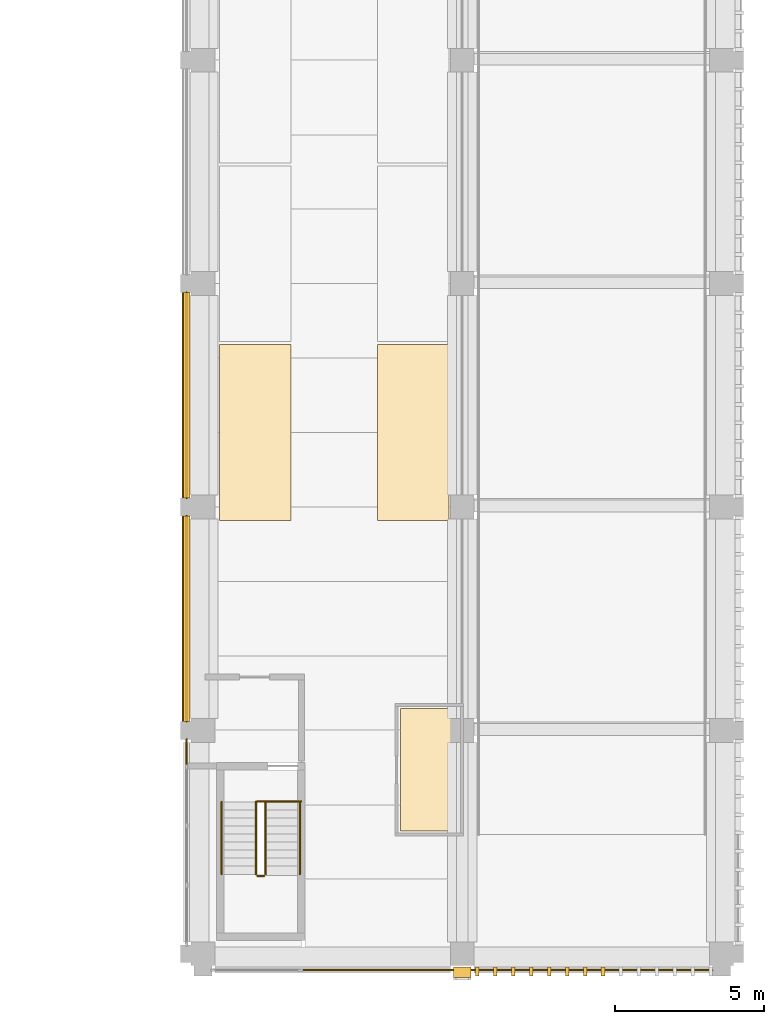
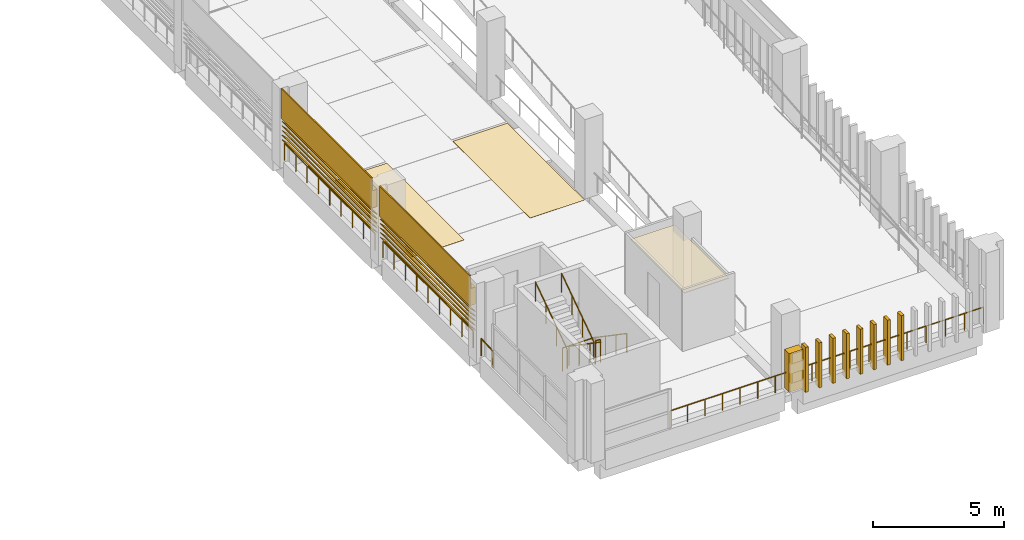
# One storey, part 46 of 52: 14 coverings, 11 railings, 10 shading devices.
"""IFC4 building model written with IfcOpenShell, lengths in metres."""

from ifc_helpers import new_model, si_unit, direction, frame, origin, origin_2d, place, context, subcontext, project, spatial, polyline, circle, outline, extrude, material, layer, layer_set, type_object, element, save


model = new_model("IFC4")

# Units and contexts
model_context = context("Model", 3, precision=1e-05, world=origin(), true_north=direction((0.0, 1.0)))
body_context = subcontext(model_context, "Body", "Model", "MODEL_VIEW")
ifc_project = project(units=[si_unit("LENGTHUNIT", "METRE"), si_unit("AREAUNIT", "SQUARE_METRE"), si_unit("VOLUMEUNIT", "CUBIC_METRE"), si_unit("PLANEANGLEUNIT", "RADIAN"), si_unit("MASSUNIT", "GRAM", prefix="KILO")], contexts=[model_context])

# Site, building, storey
site_placement = place(None, origin())
site = spatial("IfcSite", under=ifc_project, at=site_placement, CompositionType="ELEMENT")
building_placement = place(site_placement, origin())
building = spatial("IfcBuilding", under=site, at=building_placement, Name="Cour d'Honneur Mobility Palace", CompositionType="ELEMENT")
storey_placement = place(building_placement, frame((0.0, 0.0, 23.0)))
storey = spatial("IfcBuildingStorey", under=building, at=storey_placement, Name="L06", CompositionType="ELEMENT", Elevation=23.0)

# Railings
ifc_material_1 = material(Name="Painted steel", Category="steel")
railing_type_1 = type_object("IfcRailingType", Name="Balustrade", PredefinedType="BALUSTRADE", material=ifc_material_1)
for number, where, name in (
    (1, (144.35009765625, 22.199951171875, 0.300048828125), "Balustrade BAL-359"),
    (2, (144.35009765625, 14.699951171875, 0.300048828125), "Balustrade BAL-360"),
):
    element("IfcRailing", number, at=place(storey_placement, frame(where)), inside=storey, type_object=railing_type_1, Name=name, PredefinedType="BALUSTRADE", context=body_context, shape_type="SweptSolid", body=[
        extrude(circle(Radius=0.02392578125, at=origin_2d()), frame((0.0, 0.0, 0.77587890625), z_axis=(0.0, -1.0, 0.0), x_axis=(1.0, 0.0, 0.0)), (0.0, 0.0, 1.0), 6.89990234375),
        extrude(circle(Radius=0.02099609375, at=origin_2d()), origin(), (0.0, 0.0, 1.0), 0.751953125),
        extrude(circle(Radius=0.02099609375, at=origin_2d()), frame((0.0, -0.862548828125, 0.0)), (0.0, 0.0, 1.0), 0.751953125),
        extrude(circle(Radius=0.02099609375, at=origin_2d()), frame((0.0, -1.72509765625, 0.0)), (0.0, 0.0, 1.0), 0.751953125),
        extrude(circle(Radius=0.02099609375, at=origin_2d()), frame((0.0, -2.58740234375, 0.0)), (0.0, 0.0, 1.0), 0.751953125),
        extrude(circle(Radius=0.02099609375, at=origin_2d()), frame((0.0, -3.449951171875, 0.0)), (0.0, 0.0, 1.0), 0.751953125),
        extrude(circle(Radius=0.02099609375, at=origin_2d()), frame((0.0, -4.3125, 0.0)), (0.0, 0.0, 1.0), 0.751953125),
        extrude(circle(Radius=0.02099609375, at=origin_2d()), frame((0.0, -5.1748046875, 0.0)), (0.0, 0.0, 1.0), 0.751953125),
        extrude(circle(Radius=0.02099609375, at=origin_2d()), frame((0.0, -6.037353515625, 0.0)), (0.0, 0.0, 1.0), 0.751953125),
        extrude(circle(Radius=0.02099609375, at=origin_2d()), frame((0.0, -6.89990234375, 0.0)), (0.0, 0.0, 1.0), 0.751953125),
    ])
railing_1_placement = place(storey_placement, frame((144.35009765625, 7.199951171875, 0.300048828125)))
element("IfcRailing", 3, at=railing_1_placement, inside=storey, type_object=railing_type_1, Name="Balustrade BAL-361", PredefinedType="BALUSTRADE", context=body_context, shape_type="SweptSolid", body=[
    extrude(circle(Radius=0.02392578125, at=origin_2d()), frame((0.0, 0.0, 0.77587890625), z_axis=(0.0, -1.0, 0.0), x_axis=(1.0, 0.0, 0.0)), (0.0, 0.0, 1.0), 0.89990234375),
    extrude(circle(Radius=0.02099609375, at=origin_2d()), origin(), (0.0, 0.0, 1.0), 0.751953125),
    extrude(circle(Radius=0.02099609375, at=origin_2d()), frame((0.0, -0.89990234375, 0.0)), (0.0, 0.0, 1.0), 0.751953125),
])
railing_2_placement = place(storey_placement, frame((148.199951171875, -0.550048828125, 0.300048828125)))
element("IfcRailing", 4, at=railing_2_placement, inside=storey, type_object=railing_type_1, Name="Balustrade BAL-362", PredefinedType="BALUSTRADE", context=body_context, shape_type="SweptSolid", body=[
    extrude(circle(Radius=0.02392578125, at=origin_2d()), frame((0.0, 0.0, 0.77587890625), z_axis=(1.0, 0.0, 0.0), x_axis=(0.0, 1.0, 0.0)), (0.0, 0.0, 1.0), 5.400146484375),
    extrude(circle(Radius=0.02099609375, at=origin_2d()), origin(), (0.0, 0.0, 1.0), 0.751953125),
    extrude(circle(Radius=0.02099609375, at=origin_2d()), frame((0.771484375, 0.0, 0.0)), (0.0, 0.0, 1.0), 0.751953125),
    extrude(circle(Radius=0.02099609375, at=origin_2d()), frame((1.54296875, 0.0, 0.0)), (0.0, 0.0, 1.0), 0.751953125),
    extrude(circle(Radius=0.02099609375, at=origin_2d()), frame((2.314453125, 0.0, 0.0)), (0.0, 0.0, 1.0), 0.751953125),
    extrude(circle(Radius=0.02099609375, at=origin_2d()), frame((3.085693359375, 0.0, 0.0)), (0.0, 0.0, 1.0), 0.751953125),
    extrude(circle(Radius=0.02099609375, at=origin_2d()), frame((3.857177734375, 0.0, 0.0)), (0.0, 0.0, 1.0), 0.751953125),
    extrude(circle(Radius=0.02099609375, at=origin_2d()), frame((4.628662109375, 0.0, 0.0)), (0.0, 0.0, 1.0), 0.751953125),
    extrude(circle(Radius=0.02099609375, at=origin_2d()), frame((5.400146484375, 0.0, 0.0)), (0.0, 0.0, 1.0), 0.751953125),
])
railing_3_placement = place(storey_placement, frame((153.60009765625, -0.550048828125, 0.300048828125)))
element("IfcRailing", 5, at=railing_3_placement, inside=storey, type_object=railing_type_1, Name="Balustrade BAL-363", PredefinedType="BALUSTRADE", context=body_context, shape_type="SweptSolid", body=[
    extrude(circle(Radius=0.02392578125, at=origin_2d()), frame((0.0, 0.0, 0.77587890625), z_axis=(1.0, 0.0, 0.0), x_axis=(0.0, 1.0, 0.0)), (0.0, 0.0, 1.0), 8.39990234375),
    extrude(circle(Radius=0.02099609375, at=origin_2d()), origin(), (0.0, 0.0, 1.0), 0.751953125),
    extrude(circle(Radius=0.02099609375, at=origin_2d()), frame((0.840087890625, 0.0, 0.0)), (0.0, 0.0, 1.0), 0.751953125),
    extrude(circle(Radius=0.02099609375, at=origin_2d()), frame((1.679931640625, 0.0, 0.0)), (0.0, 0.0, 1.0), 0.751953125),
    extrude(circle(Radius=0.02099609375, at=origin_2d()), frame((2.52001953125, 0.0, 0.0)), (0.0, 0.0, 1.0), 0.751953125),
    extrude(circle(Radius=0.02099609375, at=origin_2d()), frame((3.35986328125, 0.0, 0.0)), (0.0, 0.0, 1.0), 0.751953125),
    extrude(circle(Radius=0.02099609375, at=origin_2d()), frame((4.199951171875, 0.0, 0.0)), (0.0, 0.0, 1.0), 0.751953125),
    extrude(circle(Radius=0.02099609375, at=origin_2d()), frame((5.0400390625, 0.0, 0.0)), (0.0, 0.0, 1.0), 0.751953125),
    extrude(circle(Radius=0.02099609375, at=origin_2d()), frame((5.8798828125, 0.0, 0.0)), (0.0, 0.0, 1.0), 0.751953125),
    extrude(circle(Radius=0.02099609375, at=origin_2d()), frame((6.719970703125, 0.0, 0.0)), (0.0, 0.0, 1.0), 0.751953125),
    extrude(circle(Radius=0.02099609375, at=origin_2d()), frame((7.559814453125, 0.0, 0.0)), (0.0, 0.0, 1.0), 0.751953125),
    extrude(circle(Radius=0.02099609375, at=origin_2d()), frame((8.39990234375, 0.0, 0.0)), (0.0, 0.0, 1.0), 0.751953125),
])
ifc_material_2 = material(Name="Painted steel", Category="steel")
railing_type_2 = type_object("IfcRailingType", Name="Guardrail 1100", PredefinedType="GUARDRAIL", material=ifc_material_2)
railing_4_placement = place(storey_placement, frame((146.72509765625, 5.1201171875, 0.0)))
element("IfcRailing", 6, at=railing_4_placement, inside=storey, type_object=railing_type_2, Name="Guard ST-RE1", PredefinedType="GUARDRAIL", context=body_context, shape_type="SweptSolid", body=[
    extrude(circle(Radius=0.02490234375, at=origin_2d()), frame((0.0, 0.0, 1.0751953125), z_axis=(1.0, 0.0, 0.0), x_axis=(0.0, 1.0, 0.0)), (0.0, 0.0, 1.0), 1.474853515625),
    extrude(circle(Radius=0.02099609375, at=origin_2d()), origin(), (0.0, 0.0, 1.0), 1.050048828125),
    extrude(circle(Radius=0.02099609375, at=origin_2d()), frame((0.7373046875, 0.0, 0.0)), (0.0, 0.0, 1.0), 1.050048828125),
    extrude(circle(Radius=0.02099609375, at=origin_2d()), frame((1.474853515625, 0.0, 0.0)), (0.0, 0.0, 1.0), 1.050048828125),
])
railing_5_placement = place(storey_placement, frame((146.72509765625, 2.610107421875, 1.85009765625)))
element("IfcRailing", 7, at=railing_5_placement, inside=storey, type_object=railing_type_2, Name="Landing guard ST-RE1", PredefinedType="GUARDRAIL", context=body_context, shape_type="SweptSolid", body=[
    extrude(circle(Radius=0.02490234375, at=origin_2d()), frame((0.0, 0.0, 1.0751953125), z_axis=(1.0, 0.0, 0.0), x_axis=(0.0, 1.0, 0.0)), (0.0, 0.0, 1.0), 0.224853515625),
    extrude(circle(Radius=0.02099609375, at=origin_2d()), origin(), (0.0, 0.0, 1.0), 1.050048828125),
    extrude(circle(Radius=0.02099609375, at=origin_2d()), frame((0.224853515625, 0.0, 0.0)), (0.0, 0.0, 1.0), 1.050048828125),
])
ifc_material_3 = material(Name="Stainless steel", Category="steel")
railing_type_3 = type_object("IfcRailingType", Name="Handrail round 50", PredefinedType="HANDRAIL", material=ifc_material_3)
for number, where, name in (
    (8, (148.14990234375, 5.10009765625, 0.18505859375), "Handrail ST-RE1"),
    (9, (147.0, 5.10009765625, 0.18505859375), "Handrail ST-RE1"),
):
    element("IfcRailing", number, at=place(storey_placement, frame(where)), inside=storey, type_object=railing_type_3, Name=name, PredefinedType="HANDRAIL", context=body_context, shape_type="SweptSolid", body=[
        extrude(circle(Radius=0.02490234375, at=origin_2d()), frame((0.0, 0.0, 0.89501953125), z_axis=(0.0, -0.824945253146, 0.565212640793), x_axis=(1.0, 0.0, 0.0)), (0.0, 0.0, 1.0), 2.94580078125),
        extrude(circle(Radius=0.02099609375, at=origin_2d()), origin(), (0.0, 0.0, 1.0), 0.869873046875),
        extrude(circle(Radius=0.02099609375, at=origin_2d()), frame((0.0, -0.81005859375, 0.554931640625)), (0.0, 0.0, 1.0), 0.869873046875),
        extrude(circle(Radius=0.02099609375, at=origin_2d()), frame((0.0, -1.6201171875, 1.110107421875)), (0.0, 0.0, 1.0), 0.869873046875),
        extrude(circle(Radius=0.02099609375, at=origin_2d()), frame((0.0, -2.43017578125, 1.6650390625)), (0.0, 0.0, 1.0), 0.869873046875),
    ])
for number, where, name in (
    (10, (146.675048828125, 2.669921875, 2.034912109375), "Handrail ST-RE1"),
    (11, (145.52490234375, 2.669921875, 2.034912109375), "Handrail ST-RE1"),
):
    element("IfcRailing", number, at=place(storey_placement, frame(where)), inside=storey, type_object=railing_type_3, Name=name, PredefinedType="HANDRAIL", context=body_context, shape_type="SweptSolid", body=[
        extrude(circle(Radius=0.02490234375, at=origin_2d()), frame((0.0, 0.0, 0.89501953125), z_axis=(0.0, 0.824945253146, 0.565212640793), x_axis=(-1.0, 0.0, 0.0)), (0.0, 0.0, 1.0), 2.94580078125),
        extrude(circle(Radius=0.02099609375, at=origin_2d()), origin(), (0.0, 0.0, 1.0), 0.869873046875),
        extrude(circle(Radius=0.02099609375, at=origin_2d()), frame((0.0, 0.81005859375, 0.554931640625)), (0.0, 0.0, 1.0), 0.869873046875),
        extrude(circle(Radius=0.02099609375, at=origin_2d()), frame((0.0, 1.6201171875, 1.110107421875)), (0.0, 0.0, 1.0), 0.869873046875),
        extrude(circle(Radius=0.02099609375, at=origin_2d()), frame((0.0, 2.43017578125, 1.6650390625)), (0.0, 0.0, 1.0), 0.869873046875),
    ])

# Coverings
ifc_material_4 = material(Name="Parking marking paint")
ifc_layer_1 = layer(ifc_material_4, 0.0048828125)
ifc_layer_set_1 = layer_set([ifc_layer_1], Name="Parking marking paint")
covering_type_1 = type_object("IfcCoveringType", Name="Parking bay marking", PredefinedType="FLOORING", material=ifc_layer_set_1)
covering_1_placement = place(storey_placement, origin())
element("IfcCovering", 12, at=covering_1_placement, inside=storey, type_object=covering_type_1, Name="Parking bay marking L06 1", PredefinedType="FLOORING", context=body_context, shape_type="SweptSolid", body=[
    extrude(outline(polyline([(153.14990234375, 14.550048828125), (150.75, 14.550048828125), (150.75, 20.449951171875), (153.14990234375, 20.449951171875), (153.14990234375, 14.550048828125)])), origin(), (0.0, 0.0, 1.0), 0.0048828125),
])
covering_2_placement = place(storey_placement, origin())
element("IfcCovering", 13, at=covering_2_placement, inside=storey, type_object=covering_type_1, Name="Parking bay marking L06 5", PredefinedType="FLOORING", context=body_context, shape_type="SweptSolid", body=[
    extrude(outline(polyline([(147.85009765625, 14.550048828125), (145.449951171875, 14.550048828125), (145.449951171875, 20.449951171875), (147.85009765625, 20.449951171875), (147.85009765625, 14.550048828125)])), origin(), (0.0, 0.0, 1.0), 0.0048828125),
])
ifc_material_5 = material(Name="Cast limestone", Category="masonry")
ifc_layer_2 = layer(ifc_material_5, 0.35009765625)
ifc_layer_set_2 = layer_set([ifc_layer_2], Name="Cast limestone")
covering_type_2 = type_object("IfcCoveringType", Name="Pier pilaster", PredefinedType="CLADDING", material=ifc_layer_set_2)
covering_3_placement = place(storey_placement, frame((0.0, 0.0, 0.300048828125)))
element("IfcCovering", 14, at=covering_3_placement, inside=storey, type_object=covering_type_2, Name="Pier pilaster PN-12", PredefinedType="CLADDING", context=body_context, shape_type="SweptSolid", body=[
    extrude(outline(polyline([(153.300048828125, -0.449951171875), (153.89990234375, -0.449951171875), (153.89990234375, -0.800048828125), (153.300048828125, -0.800048828125), (153.300048828125, -0.449951171875)])), origin(), (0.0, 0.0, 1.0), 1.800048828125),
])
ifc_material_6 = material(Name="Cast limestone", Category="masonry")
ifc_layer_3 = layer(ifc_material_6, 0.1201171875)
ifc_layer_set_3 = layer_set([ifc_layer_3], Name="Cast limestone")
covering_type_3 = type_object("IfcCoveringType", Name="Ramp screen fin", PredefinedType="CLADDING", material=ifc_layer_set_3)
covering_4_placement = place(storey_placement, origin())
element("IfcCovering", 15, at=covering_4_placement, inside=storey, type_object=covering_type_3, Name="Ramp screen fin S4.1 L06 1", PredefinedType="CLADDING", context=body_context, shape_type="SweptSolid", body=[
    extrude(outline(polyline([(154.050048828125, -0.449951171875), (154.169921875, -0.449951171875), (154.169921875, -0.75), (154.050048828125, -0.75), (154.050048828125, -0.449951171875)])), origin(), (0.0, 0.0, 1.0), 2.10009765625),
])
covering_5_placement = place(storey_placement, origin())
element("IfcCovering", 16, at=covering_5_placement, inside=storey, type_object=covering_type_3, Name="Ramp screen fin S4.1 L06 2", PredefinedType="CLADDING", context=body_context, shape_type="SweptSolid", body=[
    extrude(outline(polyline([(154.65234375, -0.449951171875), (154.772216796875, -0.449951171875), (154.772216796875, -0.75), (154.65234375, -0.75), (154.65234375, -0.449951171875)])), origin(), (0.0, 0.0, 1.0), 2.10009765625),
])
covering_6_placement = place(storey_placement, origin())
element("IfcCovering", 17, at=covering_6_placement, inside=storey, type_object=covering_type_3, Name="Ramp screen fin S4.1 L06 3", PredefinedType="CLADDING", context=body_context, shape_type="SweptSolid", body=[
    extrude(outline(polyline([(155.254638671875, -0.449951171875), (155.37451171875, -0.449951171875), (155.37451171875, -0.75), (155.254638671875, -0.75), (155.254638671875, -0.449951171875)])), origin(), (0.0, 0.0, 1.0), 2.10009765625),
])
covering_7_placement = place(storey_placement, origin())
element("IfcCovering", 18, at=covering_7_placement, inside=storey, type_object=covering_type_3, Name="Ramp screen fin S4.1 L06 4", PredefinedType="CLADDING", context=body_context, shape_type="SweptSolid", body=[
    extrude(outline(polyline([(155.85693359375, -0.449951171875), (155.976806640625, -0.449951171875), (155.976806640625, -0.75), (155.85693359375, -0.75), (155.85693359375, -0.449951171875)])), origin(), (0.0, 0.0, 1.0), 2.10009765625),
])
covering_8_placement = place(storey_placement, origin())
element("IfcCovering", 19, at=covering_8_placement, inside=storey, type_object=covering_type_3, Name="Ramp screen fin S4.1 L06 5", PredefinedType="CLADDING", context=body_context, shape_type="SweptSolid", body=[
    extrude(outline(polyline([(156.459228515625, -0.449951171875), (156.579345703125, -0.449951171875), (156.579345703125, -0.75), (156.459228515625, -0.75), (156.459228515625, -0.449951171875)])), origin(), (0.0, 0.0, 1.0), 2.10009765625),
])
covering_9_placement = place(storey_placement, origin())
element("IfcCovering", 20, at=covering_9_placement, inside=storey, type_object=covering_type_3, Name="Ramp screen fin S4.1 L06 6", PredefinedType="CLADDING", context=body_context, shape_type="SweptSolid", body=[
    extrude(outline(polyline([(157.0615234375, -0.449951171875), (157.181640625, -0.449951171875), (157.181640625, -0.75), (157.0615234375, -0.75), (157.0615234375, -0.449951171875)])), origin(), (0.0, 0.0, 1.0), 2.10009765625),
])
covering_10_placement = place(storey_placement, origin())
element("IfcCovering", 21, at=covering_10_placement, inside=storey, type_object=covering_type_3, Name="Ramp screen fin S4.1 L06 7", PredefinedType="CLADDING", context=body_context, shape_type="SweptSolid", body=[
    extrude(outline(polyline([(157.663818359375, -0.449951171875), (157.783935546875, -0.449951171875), (157.783935546875, -0.75), (157.663818359375, -0.75), (157.663818359375, -0.449951171875)])), origin(), (0.0, 0.0, 1.0), 2.10009765625),
])
covering_11_placement = place(storey_placement, origin())
element("IfcCovering", 22, at=covering_11_placement, inside=storey, type_object=covering_type_3, Name="Ramp screen fin S4.1 L06 8", PredefinedType="CLADDING", context=body_context, shape_type="SweptSolid", body=[
    extrude(outline(polyline([(158.26611328125, -0.449951171875), (158.38623046875, -0.449951171875), (158.38623046875, -0.75), (158.26611328125, -0.75), (158.26611328125, -0.449951171875)])), origin(), (0.0, 0.0, 1.0), 2.10009765625),
])
ifc_material_7 = material(Name="Cast limestone", Category="masonry")
ifc_layer_4 = layer(ifc_material_7, 0.25)
ifc_layer_set_4 = layer_set([ifc_layer_4], Name="Cast limestone")
covering_type_4 = type_object("IfcCoveringType", Name="Spandrel cladding", PredefinedType="CLADDING", material=ifc_layer_set_4)
for number, where, z_axis, x_axis, name in (
    (23, (144.449951171875, 22.199951171875, 2.300048828125), (0.0, 1.0, 0.0), (-1.0, 0.0, 0.0), "Spandrel cladding SK-374"),
    (24, (144.449951171875, 14.699951171875, 2.300048828125), (0.0, 1.0, 0.0), (-1.0, 0.0, 0.0), "Spandrel cladding SK-375"),
):
    element("IfcCovering", number, at=place(storey_placement, frame(where, z_axis=z_axis, x_axis=x_axis)), inside=storey, type_object=covering_type_4, Name=name, PredefinedType="CLADDING", context=body_context, shape_type="SweptSolid", body=[
        extrude(outline(polyline([(0.0, 0.0), (0.25, 0.0), (0.25, 1.39990234375), (0.199951171875, 1.39990234375), (0.199951171875, 0.800048828125), (0.0, 0.800048828125), (0.0, 0.0)])), origin(), (0.0, 0.0, -1.0), 6.89990234375),
    ])
ifc_material_8 = material(Name="Suspended ceiling")
ifc_layer_5 = layer(ifc_material_8, 0.030029296875)
ifc_layer_set_5 = layer_set([ifc_layer_5], Name="Suspended ceiling")
covering_type_5 = type_object("IfcCoveringType", Name="Suspended ceiling", PredefinedType="CEILING", material=ifc_layer_set_5)
covering_12_placement = place(storey_placement, frame((0.0, 0.0, 2.550048828125)))
element("IfcCovering", 25, at=covering_12_placement, inside=storey, type_object=covering_type_5, Name="Ceiling Valet Handover East", PredefinedType="CEILING", context=body_context, shape_type="SweptSolid", body=[
    extrude(outline(polyline([(153.47998046875, 4.1201171875), (151.52001953125, 4.1201171875), (151.52001953125, 8.22998046875), (153.47998046875, 8.22998046875), (153.47998046875, 4.1201171875)])), origin(), (0.0, 0.0, 1.0), 0.030029296875),
])

# Shading devices
ifc_material_9 = material(Name="Terracotta", Category="masonry")
ifc_layer_6 = layer(ifc_material_9, 0.02490234375)
ifc_layer_set_6 = layer_set([ifc_layer_6], Name="Terracotta")
shading_device_type = type_object("IfcShadingDeviceType", Name="Terracotta louvre blade", PredefinedType="JALOUSIE", material=ifc_layer_set_6)
shading_device_1_placement = place(storey_placement, frame((144.4560546875, 22.199951171875, 1.10009765625), z_axis=(0.706699578995, 0.0, 0.707513749017), x_axis=(0.0, -1.0, 0.0)))
element("IfcShadingDevice", 26, at=shading_device_1_placement, inside=storey, type_object=shading_device_type, Name="Louvre blade LV-1 W7.4 L06 1", PredefinedType="JALOUSIE", context=body_context, shape_type="SweptSolid", body=[
    extrude(outline(polyline([(0.0, 0.0), (6.89990234375, 0.0), (6.89990234375, -0.29986442442957895), (0.0, -0.29986442442957895), (0.0, 0.0)])), origin(), (0.0, 0.0, -1.0), 0.02490234375),
])
for number, where, z_axis, x_axis, name in (
    (27, (144.4560546875, 22.199951171875, 1.31201171875), (0.707106781187, 0.0, 0.707106781187), (0.0, -1.0, 0.0), "Louvre blade LV-1 W7.4 L06 2"),
    (28, (144.4560546875, 22.199951171875, 1.524169921875), (0.707106781187, 0.0, 0.707106781187), (0.0, -1.0, 0.0), "Louvre blade LV-1 W7.4 L06 3"),
    (29, (144.4560546875, 22.199951171875, 1.736328125), (0.707106781187, 0.0, 0.707106781187), (0.0, -1.0, 0.0), "Louvre blade LV-1 W7.4 L06 4"),
    (30, (144.4560546875, 22.199951171875, 1.948486328125), (0.707106781187, 0.0, 0.707106781187), (0.0, -1.0, 0.0), "Louvre blade LV-1 W7.4 L06 5"),
):
    element("IfcShadingDevice", number, at=place(storey_placement, frame(where, z_axis=z_axis, x_axis=x_axis)), inside=storey, type_object=shading_device_type, Name=name, PredefinedType="JALOUSIE", context=body_context, shape_type="SweptSolid", body=[
        extrude(outline(polyline([(0.0, 0.0), (6.89990234375, 0.0), (6.89990234375, -0.300037008228081), (0.0, -0.300037008228081), (0.0, 0.0)])), origin(), (0.0, 0.0, -1.0), 0.02490234375),
    ])
shading_device_2_placement = place(storey_placement, frame((144.4560546875, 14.699951171875, 1.10009765625), z_axis=(0.706699578995, 0.0, 0.707513749017), x_axis=(0.0, -1.0, 0.0)))
element("IfcShadingDevice", 31, at=shading_device_2_placement, inside=storey, type_object=shading_device_type, Name="Louvre blade LV-1 W7.5 L06 1", PredefinedType="JALOUSIE", context=body_context, shape_type="SweptSolid", body=[
    extrude(outline(polyline([(0.0, 0.0), (6.89990234375, 0.0), (6.89990234375, -0.29986442442957895), (0.0, -0.29986442442957895), (0.0, 0.0)])), origin(), (0.0, 0.0, -1.0), 0.02490234375),
])
for number, where, z_axis, x_axis, name in (
    (32, (144.4560546875, 14.699951171875, 1.31201171875), (0.707106781187, 0.0, 0.707106781187), (0.0, -1.0, 0.0), "Louvre blade LV-1 W7.5 L06 2"),
    (33, (144.4560546875, 14.699951171875, 1.524169921875), (0.707106781187, 0.0, 0.707106781187), (0.0, -1.0, 0.0), "Louvre blade LV-1 W7.5 L06 3"),
    (34, (144.4560546875, 14.699951171875, 1.736328125), (0.707106781187, 0.0, 0.707106781187), (0.0, -1.0, 0.0), "Louvre blade LV-1 W7.5 L06 4"),
    (35, (144.4560546875, 14.699951171875, 1.948486328125), (0.707106781187, 0.0, 0.707106781187), (0.0, -1.0, 0.0), "Louvre blade LV-1 W7.5 L06 5"),
):
    element("IfcShadingDevice", number, at=place(storey_placement, frame(where, z_axis=z_axis, x_axis=x_axis)), inside=storey, type_object=shading_device_type, Name=name, PredefinedType="JALOUSIE", context=body_context, shape_type="SweptSolid", body=[
        extrude(outline(polyline([(0.0, 0.0), (6.89990234375, 0.0), (6.89990234375, -0.300037008228081), (0.0, -0.300037008228081), (0.0, 0.0)])), origin(), (0.0, 0.0, -1.0), 0.02490234375),
    ])

save(model, "model.ifc")
